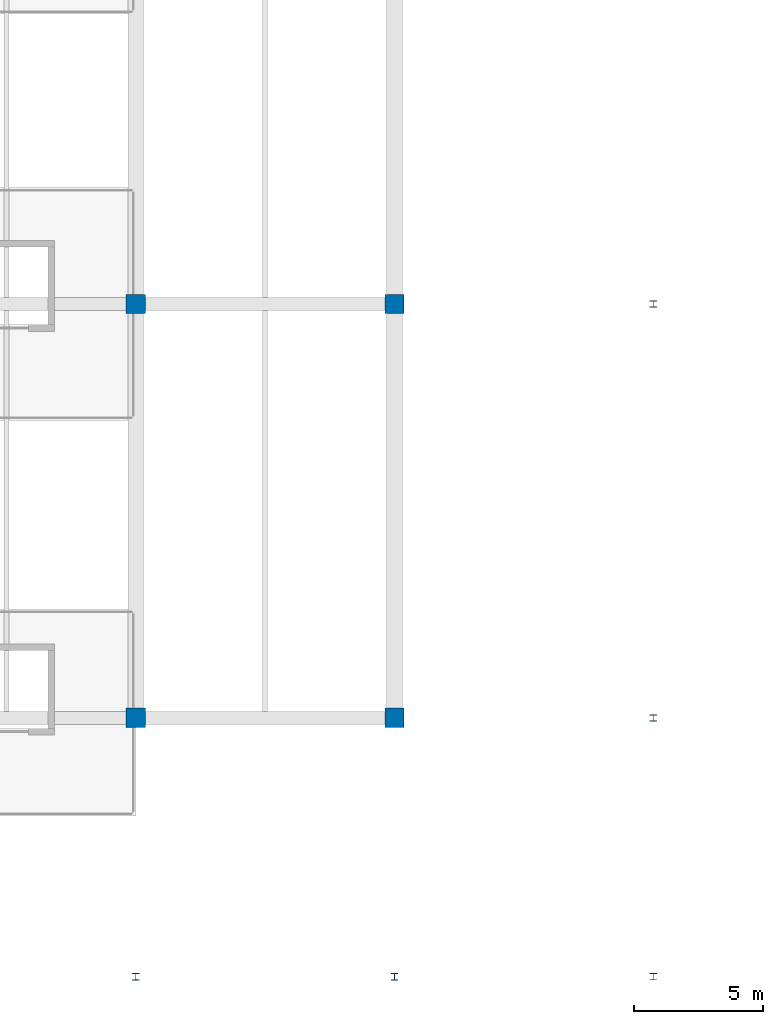
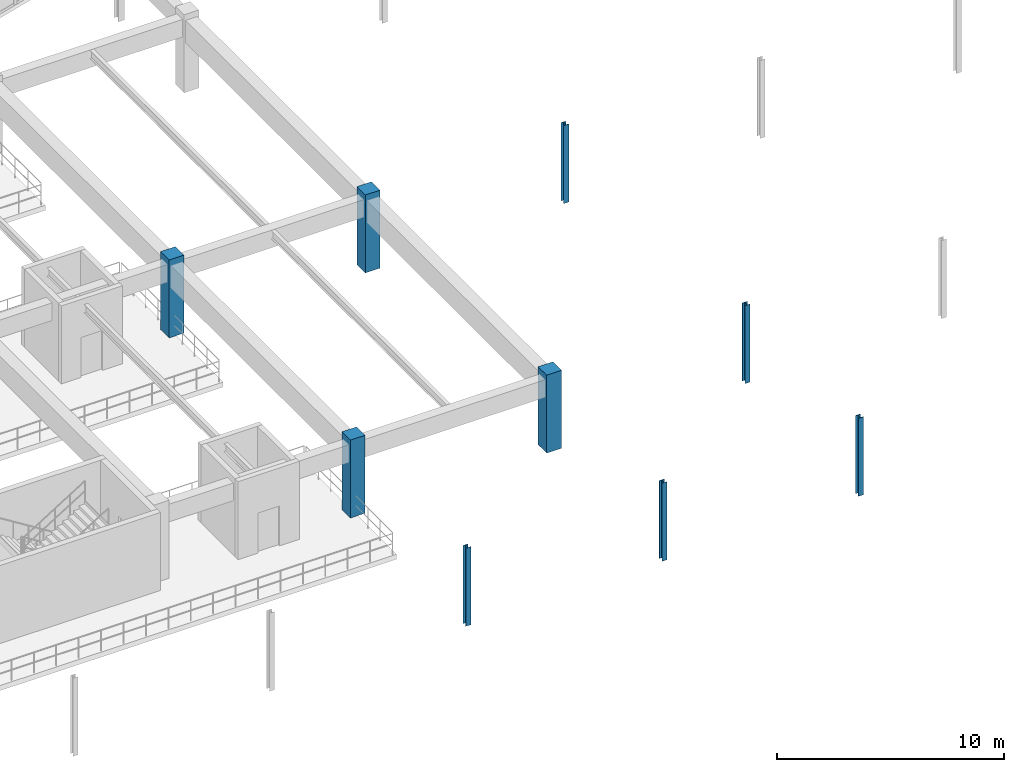
# One storey, part 6 of 100: 9 columns.
"""IFC4 building model written with IfcOpenShell, lengths in metres."""

from ifc_helpers import new_model, si_unit, direction, frame, origin, origin_2d, place, context, subcontext, project, spatial, rectangle, i_section, extrude, material, material_profile, profile_set, type_object, element, save


model = new_model("IFC4")

# Units and contexts
model_context = context("Model", 3, precision=1e-05, world=origin(), true_north=direction((0.0, 1.0)))
body_context = subcontext(model_context, "Body", "Model", "MODEL_VIEW")
ifc_project = project(units=[si_unit("LENGTHUNIT", "METRE"), si_unit("AREAUNIT", "SQUARE_METRE"), si_unit("VOLUMEUNIT", "CUBIC_METRE"), si_unit("PLANEANGLEUNIT", "RADIAN"), si_unit("MASSUNIT", "GRAM", prefix="KILO")], contexts=[model_context])

# Site, building, storey
site_placement = place(None, origin())
site = spatial("IfcSite", under=ifc_project, at=site_placement, CompositionType="ELEMENT")
building_placement = place(site_placement, origin())
building = spatial("IfcBuilding", under=site, at=building_placement, Name="Kivolera Central Railway Station", CompositionType="ELEMENT")
storey_placement = place(building_placement, frame((0.0, 0.0, 5.39990234375)))
storey = spatial("IfcBuildingStorey", under=building, at=storey_placement, Name="L01", CompositionType="ELEMENT", Elevation=5.39990234375)

# Columns
ifc_material_1 = material(Name="Concrete C40/50", Category="concrete")
ifc_material_profile_1 = material_profile(ifc_material_1, rectangle(XDim=0.75, YDim=0.75, at=origin_2d()), Name="RC 750x750")
ifc_profile_set_1 = profile_set([ifc_material_profile_1], Name="Concrete C40/50")
column_type_1 = type_object("IfcColumnType", Name="COL-RC-750", PredefinedType="COLUMN", material=ifc_profile_set_1)
for number, where, z_axis, x_axis, name in (
    (1, (78.0, 16.0, 0.0), (0.0, 0.0, 1.0), (1.0, 0.0, 0.0), "L01 Train Shed Column 8-B"),
    (2, (78.0, 32.0, 0.0), (0.0, 0.0, 1.0), (1.0, 0.0, 0.0), "L01 Train Shed Column 8-C"),
    (3, (88.0, 16.0, 0.0), (0.0, 0.0, 1.0), (1.0, 0.0, 0.0), "L01 Train Shed Column 9-B"),
    (4, (88.0, 32.0, 0.0), (0.0, 0.0, 1.0), (1.0, 0.0, 0.0), "L01 Train Shed Column 9-C"),
):
    element("IfcColumn", number, at=place(storey_placement, frame(where, z_axis=z_axis, x_axis=x_axis)), inside=storey, type_object=column_type_1, Name=name, PredefinedType="COLUMN", context=body_context, shape_type="SweptSolid", body=[
        extrude(rectangle(XDim=0.75, YDim=0.75, at=origin_2d()), origin(), (0.0, 0.0, 1.0), 4.2001953125),
    ])
ifc_material_2 = material(Name="Steel S355", Category="steel")
ifc_material_profile_2 = material_profile(ifc_material_2, i_section(OverallWidth=0.25634765625, OverallDepth=0.26025390625, WebThickness=0.01025390625, FlangeThickness=0.017333984375, FilletRadius=0.0126953125, at=origin_2d()), Name="UC 254x254x89")
ifc_profile_set_2 = profile_set([ifc_material_profile_2], Name="Steel S355")
column_type_2 = type_object("IfcColumnType", Name="COL-STL-UC254", PredefinedType="COLUMN", material=ifc_profile_set_2)
for number, where, z_axis, x_axis, name in (
    (5, (78.0, 6.0, 0.0), (0.0, 0.0, 1.0), (1.0, 0.0, 0.0), "L01 Train Shed Column 8-A"),
    (6, (88.0, 6.0, 0.0), (0.0, 0.0, 1.0), (1.0, 0.0, 0.0), "L01 Train Shed Column 9-A"),
    (7, (98.0, 6.0, 0.0), (0.0, 0.0, 1.0), (1.0, 0.0, 0.0), "L01 Train Shed Column 10-A"),
    (8, (98.0, 16.0, 0.0), (0.0, 0.0, 1.0), (1.0, 0.0, 0.0), "L01 Train Shed Column 10-B"),
    (9, (98.0, 32.0, 0.0), (0.0, 0.0, 1.0), (1.0, 0.0, 0.0), "L01 Train Shed Column 10-C"),
):
    element("IfcColumn", number, at=place(storey_placement, frame(where, z_axis=z_axis, x_axis=x_axis)), inside=storey, type_object=column_type_2, Name=name, PredefinedType="COLUMN", context=body_context, shape_type="SweptSolid", body=[
        extrude(i_section(OverallWidth=0.25634765625, OverallDepth=0.26025390625, WebThickness=0.01025390625, FlangeThickness=0.017333984375, FilletRadius=0.0126953125, at=origin_2d()), origin(), (0.0, 0.0, 1.0), 4.2001953125),
    ])

save(model, "model.ifc")
